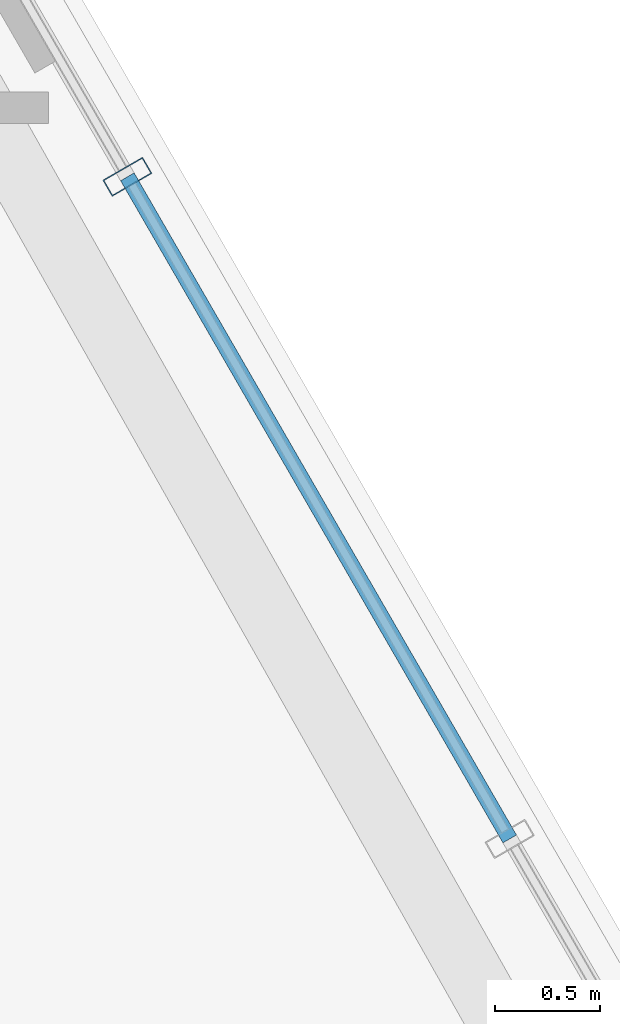
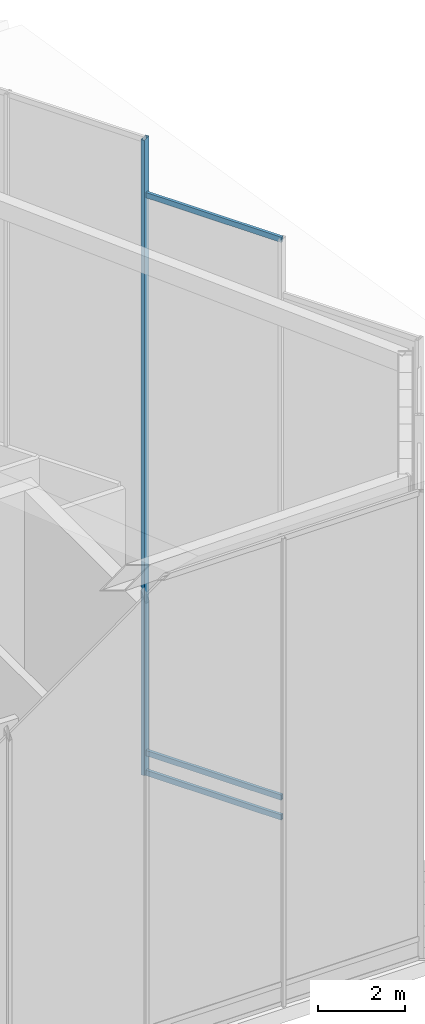
# One storey, part 27 of 36: 4 members, 2 elements without a shape of their own.
"""IFC4 building model written with IfcOpenShell, lengths in metres."""

import ifcopenshell
import ifcopenshell.guid

model = None  # the IFC model being written
_history = None  # IfcOwnerHistory: only IFC2X3 demands one
_inside = {}  # id of a spatial element -> (the spatial element, [elements in it])
_under = {}  # id of a project, library or spatial element -> (it, [spatial elements below it])
_declared = {}  # id of a project -> (the project, [libraries it declares])
_typed = {}  # id of a type object -> (the type object, [elements of that type])
_made_of = {}  # id of a material, layer set ... -> (it, [elements and type objects made of it])


def new_model(schema):
    """Start an empty IFC model of exactly this schema.

    Asked for "IFC4X3", IfcOpenShell would pick the latest addendum, in which some entities
    have other attributes; the version numbers below select the first issue.
    IFC2X3 requires an IfcOwnerHistory on every rooted entity: one is made here for all.
    """
    global model, _history
    if schema == "IFC4X3":
        model = ifcopenshell.file(schema_version=(4, 3, 0, 0))
    else:
        model = ifcopenshell.file(schema=schema)
    _inside.clear()
    _under.clear()
    _declared.clear()
    _typed.clear()
    _made_of.clear()
    _history = None
    if model.schema == "IFC2X3":
        org = make("IfcOrganization", Name="unknown")
        user = make(
            "IfcPersonAndOrganization",
            ThePerson=make("IfcPerson", FamilyName="unknown"),
            TheOrganization=org,
        )
        app = make(
            "IfcApplication",
            ApplicationDeveloper=org,
            Version="unknown",
            ApplicationFullName="unknown",
            ApplicationIdentifier="unknown",
        )
        _history = make(
            "IfcOwnerHistory",
            OwningUser=user,
            OwningApplication=app,
            ChangeAction="ADDED",
            CreationDate=0,
        )
    return model


def make(cls, **values):
    """One entity of the class cls with the attributes given. An attribute that is None is left unset."""
    return model.create_entity(
        cls, **{name: value for name, value in values.items() if value is not None}
    )


def rooted(cls, **values):
    """An entity with a GlobalId (a new one), such as an element, a storey or a relation."""
    return make(cls, GlobalId=ifcopenshell.guid.new(), OwnerHistory=_history, **values)


def si_unit(unit_type, name, prefix=None):
    """IfcSIUnit, for example si_unit("LENGTHUNIT", "METRE", prefix="MILLI")."""
    return make("IfcSIUnit", UnitType=unit_type, Prefix=prefix, Name=name)


def assignment(units):
    """IfcUnitAssignment: the units of a project."""
    return None if units is None else make("IfcUnitAssignment", Units=units)


def point(xyz):
    """IfcCartesianPoint."""
    return None if xyz is None else make("IfcCartesianPoint", Coordinates=xyz)


def direction(xyz):
    """IfcDirection."""
    return None if xyz is None else make("IfcDirection", DirectionRatios=xyz)


def frame(location, z_axis=None, x_axis=None):
    """IfcAxis2Placement3D, a coordinate frame: its origin and axes. An axis left out is left unset."""
    return make(
        "IfcAxis2Placement3D",
        Location=point(location),
        Axis=direction(z_axis),
        RefDirection=direction(x_axis),
    )


def frame_2d(location, x_axis=None):
    """IfcAxis2Placement2D, a coordinate frame in the plane: its origin and x axis."""
    return make(
        "IfcAxis2Placement2D", Location=point(location), RefDirection=direction(x_axis)
    )


def origin():
    """The frame at (0, 0, 0) with its axes left unset."""
    return frame((0.0, 0.0, 0.0))


def origin_2d():
    """The frame at (0, 0) in the plane with its x axis left unset."""
    return frame_2d((0.0, 0.0))


def place(relative_to, where):
    """IfcLocalPlacement: puts the frame where relative to a parent placement (None: the world)."""
    return make(
        "IfcLocalPlacement", PlacementRelTo=relative_to, RelativePlacement=where
    )


def context(
    kind, dimensions, precision=None, world=None, true_north=None, identifier=None
):
    """IfcGeometricRepresentationContext, for example the 3D "Model" context."""
    return make(
        "IfcGeometricRepresentationContext",
        ContextIdentifier=identifier,
        ContextType=kind,
        CoordinateSpaceDimension=dimensions,
        Precision=precision,
        WorldCoordinateSystem=world,
        TrueNorth=true_north,
    )


def subcontext(parent, identifier, kind, view, scale=None):
    """IfcGeometricRepresentationSubContext, for example "Body" below "Model"."""
    return make(
        "IfcGeometricRepresentationSubContext",
        ContextIdentifier=identifier,
        ContextType=kind,
        ParentContext=parent,
        TargetScale=scale,
        TargetView=view,
    )


def project(units=None, contexts=None):
    """IfcProject with its units and contexts."""
    return rooted(
        "IfcProject",
        Name="project",
        RepresentationContexts=contexts,
        UnitsInContext=assignment(units),
    )


def spatial(cls, under=None, at=None, **own):
    """A site, building, storey or space (cls), placed at a placement, below another one or the project."""
    s = rooted(cls, ObjectPlacement=at, **own)
    if under is not None:
        _under.setdefault(under.id(), (under, []))[1].append(s)
    return s


def profile(cls, at=None, kind="AREA", **sizes):
    """A parametric profile (cls). Its sizes go by their IFC names, for example OverallWidth=200.0."""
    return make(cls, ProfileType=kind, Position=at, **sizes)


def hollow_rectangle(**sizes):
    """IfcRectangleHollowProfileDef."""
    return profile("IfcRectangleHollowProfileDef", **sizes)


def extrude(swept, where, along, depth):
    """IfcExtrudedAreaSolid: the profile swept, set in the frame where, extruded along a direction by depth."""
    return make(
        "IfcExtrudedAreaSolid",
        SweptArea=swept,
        Position=where,
        ExtrudedDirection=direction(along),
        Depth=depth,
    )


def shape(context_of_items, identifier, shape_type, items):
    """IfcShapeRepresentation: the items that make up one representation, for example the "Body"."""
    return make(
        "IfcShapeRepresentation",
        ContextOfItems=context_of_items,
        RepresentationIdentifier=identifier,
        RepresentationType=shape_type,
        Items=items,
    )


def material(Name=None, Category=None):
    """IfcMaterial."""
    return make("IfcMaterial", Name=Name, Category=Category)


def layer(
    of_material, thickness, ventilated=None, Name=None, Category=None, Priority=None
):
    """IfcMaterialLayer: one layer of a wall or slab, of a material (None: an air gap)."""
    return make(
        "IfcMaterialLayer",
        Material=of_material,
        LayerThickness=thickness,
        IsVentilated=ventilated,
        Name=Name,
        Category=Category,
        Priority=Priority,
    )


def layer_set(layers, Name=None):
    """IfcMaterialLayerSet."""
    return make("IfcMaterialLayerSet", MaterialLayers=layers, LayerSetName=Name)


def material_profile(
    of_material, cross_section, Name=None, Category=None, Priority=None
):
    """IfcMaterialProfile: a cross section and its material."""
    return make(
        "IfcMaterialProfile",
        Name=Name,
        Material=of_material,
        Profile=cross_section,
        Priority=Priority,
        Category=Category,
    )


def profile_set(profiles, Name=None, composite=None):
    """IfcMaterialProfileSet."""
    return make(
        "IfcMaterialProfileSet",
        Name=Name,
        MaterialProfiles=profiles,
        CompositeProfile=composite,
    )


def made_of(thing, what):
    """Note that an element or type object is made of a material, layer set ...; save() writes the relation."""
    if what is not None:
        _made_of.setdefault(what.id(), (what, []))[1].append(thing)
    return thing


def type_object(cls, material=None, **own):
    """A type object (cls), such as IfcWallType, which elements share."""
    return made_of(rooted(cls, **own), material)


def element(
    cls,
    number,
    at=None,
    inside=None,
    cuts=None,
    type_object=None,
    material=None,
    context=None,
    identifier="Body",
    shape_type=None,
    held_by="IfcProductDefinitionShape",
    body=None,
    shapes=None,
    **own,
):
    """One element of the class cls, such as IfcWall. Its Tag is "e" and its number.

    at: its placement. inside: the storey or other place that contains it. cuts: it is an
    opening in that element (IfcRelVoidsElement). A single representation is given by context,
    identifier, shape_type and body (its items); several are given by shapes. held_by: the class
    of the entity that holds the representations. save() writes the other relations.
    """
    e = rooted(cls, Tag="e%d" % number, ObjectPlacement=at, **own)
    if body is not None:
        shapes = [shape(context, identifier, shape_type, body)]
    if shapes is not None:
        e.Representation = make(held_by, Representations=shapes)
    if inside is not None:
        _inside.setdefault(inside.id(), (inside, []))[1].append(e)
    if cuts is not None:
        rooted(
            "IfcRelVoidsElement", RelatingBuildingElement=cuts, RelatedOpeningElement=e
        )
    if type_object is not None:
        _typed.setdefault(type_object.id(), (type_object, []))[1].append(e)
    return made_of(e, material)


def aggregate(whole, parts):
    """IfcRelAggregates: a whole, such as a stair, and the parts it consists of."""
    return rooted("IfcRelAggregates", RelatingObject=whole, RelatedObjects=parts)


def save(model, path):
    """Write the relations noted so far, then the file.

    IfcRelAggregates (storeys below a building ...), IfcRelContainedInSpatialStructure (elements
    in a storey), IfcRelDefinesByType, IfcRelAssociatesMaterial and IfcRelDeclares: one each for
    every whole, place, type object, material and project.
    """
    for whole, parts in _under.values():
        aggregate(whole, parts)
    for where, things in _inside.values():
        rooted(
            "IfcRelContainedInSpatialStructure",
            RelatedElements=things,
            RelatingStructure=where,
        )
    for kind, things in _typed.values():
        rooted("IfcRelDefinesByType", RelatedObjects=things, RelatingType=kind)
    for what, things in _made_of.values():
        rooted("IfcRelAssociatesMaterial", RelatedObjects=things, RelatingMaterial=what)
    for by, libraries in _declared.values():
        rooted("IfcRelDeclares", RelatingContext=by, RelatedDefinitions=libraries)
    model.write(path)


model = new_model("IFC4")

# Units and contexts
model_context = context("Model", 3, precision=1e-05, world=origin(), true_north=direction((0.0, 1.0)))
body_context = subcontext(model_context, "Body", "Model", "MODEL_VIEW")
ifc_project = project(units=[si_unit("LENGTHUNIT", "METRE"), si_unit("AREAUNIT", "SQUARE_METRE"), si_unit("VOLUMEUNIT", "CUBIC_METRE"), si_unit("PLANEANGLEUNIT", "RADIAN"), si_unit("MASSUNIT", "GRAM", prefix="KILO")], contexts=[model_context])

# Site, building, storey
site_placement = place(None, origin())
site = spatial("IfcSite", under=ifc_project, at=site_placement, CompositionType="ELEMENT")
building_placement = place(site_placement, origin())
building = spatial("IfcBuilding", under=site, at=building_placement, Name="Ndaravel Arena Tower", CompositionType="ELEMENT")
storey_placement = place(building_placement, frame((0.0, 0.0, 308.10009765625)))
storey = spatial("IfcBuildingStorey", under=building, at=storey_placement, Name="Roof Crown", CompositionType="ELEMENT", Elevation=308.10009765625)

# Curtain wall, member
ifc_material_1 = material(Name="Aluminium", Category="aluminium")
ifc_layer = layer(ifc_material_1, 0.179931640625)
ifc_layer_set = layer_set([ifc_layer], Name="Aluminium")
curtain_wall_type = type_object("IfcCurtainWallType", Name="CW-SYS-06", PredefinedType="NOTDEFINED", material=ifc_layer_set)
curtain_wall_1_placement = place(storey_placement, origin())
curtain_wall_1 = element("IfcCurtainWall", 1, at=curtain_wall_1_placement, inside=storey, type_object=curtain_wall_type, Name="Roof Crown Sloped Crown Lantern Curtain Wall CW-CROWN-E03-S03", PredefinedType="NOTDEFINED")
ifc_material_2 = material(Name="Aluminium", Category="aluminium")
ifc_material_profile_1 = material_profile(ifc_material_2, hollow_rectangle(XDim=0.090087890625, YDim=0.219970703125, WallThickness=0.0048828125, at=origin_2d()), Name="CW MULLION 90x220x5")
ifc_profile_set_1 = profile_set([ifc_material_profile_1], Name="Aluminium")
member_type_1 = type_object("IfcMemberType", Name="MEM-CW-MUL220", PredefinedType="MULLION", material=ifc_profile_set_1)
member_1_placement = place(storey_placement, frame((60.37744140625, 14.81982421875, 0.0), z_axis=(0.0, 0.0, 1.0), x_axis=(-0.499984884929, 0.866034130299, 0.0)))
member_1 = element("IfcMember", 2, at=member_1_placement, type_object=member_type_1, Name="CW-CROWN-E03-S03 Mullion 00", PredefinedType="MULLION", context=body_context, shape_type="SweptSolid", body=[
    extrude(hollow_rectangle(XDim=0.090087890625, YDim=0.219970703125, WallThickness=0.0048828125, at=origin_2d()), origin(), (0.0, 0.0, 1.0), 17.91943359375),
])
aggregate(curtain_wall_1, [member_1])

# Curtain wall, members
curtain_wall_2_placement = place(storey_placement, origin())
curtain_wall_2 = element("IfcCurtainWall", 3, at=curtain_wall_2_placement, inside=storey, type_object=curtain_wall_type, Name="Roof Crown Sloped Crown Lantern Curtain Wall CW-CROWN-E03-S02", PredefinedType="NOTDEFINED")
ifc_material_3 = material(Name="Aluminium", Category="aluminium")
ifc_material_profile_2 = material_profile(ifc_material_3, hollow_rectangle(XDim=0.074951171875, YDim=0.14990234375, WallThickness=0.00390625, at=origin_2d()), Name="CW TRANSOM 75x150x4")
ifc_profile_set_2 = profile_set([ifc_material_profile_2], Name="Aluminium")
member_type_2 = type_object("IfcMemberType", Name="MEM-CW-TRN150", PredefinedType="USERDEFINED", material=ifc_profile_set_2)
member_2_placement = place(storey_placement, frame((62.206298828125, 11.652587890625, 0.039794921875), z_axis=(-0.500051814536, 0.865995486581, 0.0), x_axis=(-0.865995486581, -0.500051814536, 0.0)))
member_2 = element("IfcMember", 4, at=member_2_placement, type_object=member_type_2, Name="CW-CROWN-E03-S02 Transom 01", ObjectType="TRANSOM", PredefinedType="USERDEFINED", context=body_context, shape_type="SweptSolid", body=[
    extrude(hollow_rectangle(XDim=0.074951171875, YDim=0.14990234375, WallThickness=0.00390625, at=origin_2d()), origin(), (0.0, 0.0, 1.0), 3.6572265625),
])
member_3_placement = place(storey_placement, frame((62.206298828125, 11.652587890625, 0.599853515625), z_axis=(-0.500051814536, 0.865995486581, 0.0), x_axis=(-0.865995486581, -0.500051814536, 0.0)))
member_3 = element("IfcMember", 5, at=member_3_placement, type_object=member_type_2, Name="CW-CROWN-E03-S02 Transom 02", ObjectType="TRANSOM", PredefinedType="USERDEFINED", context=body_context, shape_type="SweptSolid", body=[
    extrude(hollow_rectangle(XDim=0.074951171875, YDim=0.14990234375, WallThickness=0.00390625, at=origin_2d()), origin(), (0.0, 0.0, 1.0), 3.6572265625),
])
member_4_placement = place(storey_placement, frame((62.206298828125, 11.652587890625, 16.334716796875), z_axis=(-0.500051814536, 0.865995486581, 0.0), x_axis=(-0.865995486581, -0.500051814536, 0.0)))
member_4 = element("IfcMember", 6, at=member_4_placement, type_object=member_type_2, Name="CW-CROWN-E03-S02 Transom 03", ObjectType="TRANSOM", PredefinedType="USERDEFINED", context=body_context, shape_type="SweptSolid", body=[
    extrude(hollow_rectangle(XDim=0.074951171875, YDim=0.14990234375, WallThickness=0.00390625, at=origin_2d()), origin(), (0.0, 0.0, 1.0), 3.6572265625),
])
aggregate(curtain_wall_2, [member_2, member_3, member_4])

save(model, "model.ifc")
